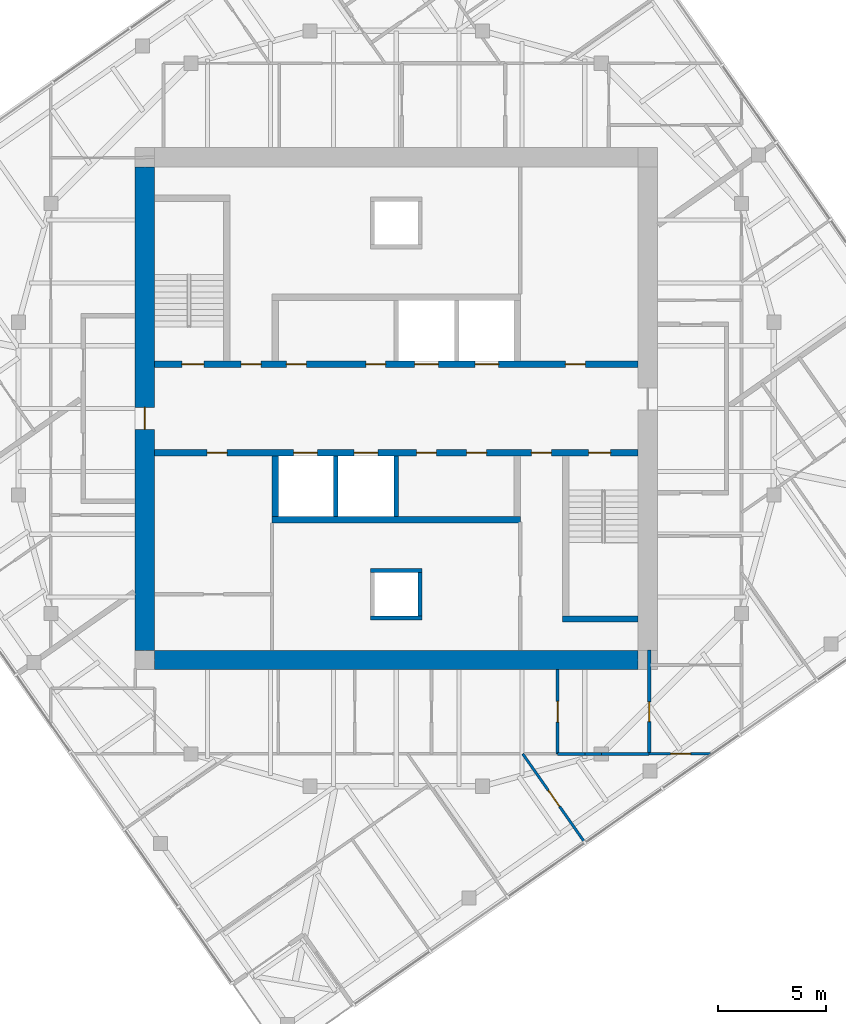
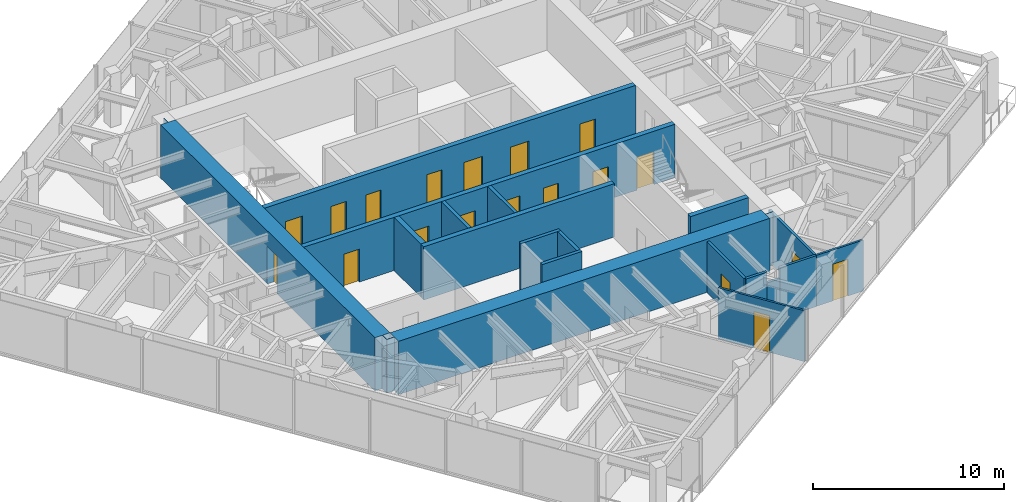
# One storey, part 8 of 12: 19 doors, 19 walls, 19 openings.
"""IFC4 building model written with IfcOpenShell, lengths in metres."""

from ifc_helpers import new_model, si_unit, direction, frame, frame_2d, origin, place, context, subcontext, project, spatial, polyline, rectangle, outline, extrude, material, layer, layer_set, type_object, element, fill, save


model = new_model("IFC4")

# Units and contexts
model_context = context("Model", 3, precision=1e-05, world=origin(), true_north=direction((0.0, 1.0)))
body_context = subcontext(model_context, "Body", "Model", "MODEL_VIEW")
ifc_project = project(units=[si_unit("LENGTHUNIT", "METRE"), si_unit("AREAUNIT", "SQUARE_METRE"), si_unit("VOLUMEUNIT", "CUBIC_METRE"), si_unit("PLANEANGLEUNIT", "RADIAN"), si_unit("MASSUNIT", "GRAM", prefix="KILO")], contexts=[model_context])

# Site, building, storey
site_placement = place(None, origin())
site = spatial("IfcSite", under=ifc_project, at=site_placement, CompositionType="ELEMENT")
building_placement = place(site_placement, origin())
building = spatial("IfcBuilding", under=site, at=building_placement, Name="Torsade Residences", CompositionType="ELEMENT")
storey_placement = place(building_placement, frame((0.0, 0.0, 254.0)))
storey = spatial("IfcBuildingStorey", under=building, at=storey_placement, Name="L70", CompositionType="ELEMENT", Elevation=254.0)

# Wall, openings, doors
ifc_material_1 = material(Name="Concrete 80 MPa", Category="concrete")
ifc_layer_1 = layer(ifc_material_1, 0.300048828125)
ifc_layer_set_1 = layer_set([ifc_layer_1], Name="Concrete 80 MPa")
wall_type_1 = type_object("IfcWallType", Name="CORE INTERNAL WALL 300", PredefinedType="SHEAR", material=ifc_layer_set_1)
wall_1_placement = place(storey_placement, frame((28.800048828125, 32.050048828125, 0.0), z_axis=(0.0, 0.0, 1.0), x_axis=(1.0, 0.0, 0.0)))
wall_1 = element("IfcWall", 1, at=wall_1_placement, inside=storey, type_object=wall_type_1, Name="Core wall LN L70", PredefinedType="SHEAR", context=body_context, shape_type="SweptSolid", body=[
    extrude(rectangle(XDim=22.39990234375, YDim=0.300048828125, at=frame_2d((11.199951171875, 0.0))), origin(), (0.0, 0.0, 1.0), 3.39990234375),
])
opening_1_placement = place(wall_1_placement, frame((19.0400390625, 0.0, 0.0)))
opening_1 = element("IfcOpeningElement", 2, at=opening_1_placement, cuts=wall_1, Name="Opening D06", PredefinedType="OPENING", context=body_context, shape_type="SweptSolid", body=[
    extrude(rectangle(XDim=0.919921875, YDim=2.10009765625, at=frame_2d((0.4599609375, 1.050048828125))), frame((0.0, 0.159912109375, 0.0), z_axis=(0.0, -1.0, 0.0), x_axis=(1.0, 0.0, 0.0)), (0.0, 0.0, 1.0), 0.320068359375),
])
opening_2_placement = place(wall_1_placement, frame((1.264892578125, 0.0, 0.0)))
opening_2 = element("IfcOpeningElement", 3, at=opening_2_placement, cuts=wall_1, Name="Opening D03", PredefinedType="OPENING", context=body_context, shape_type="SweptSolid", body=[
    extrude(rectangle(XDim=1.02001953125, YDim=2.10009765625, at=frame_2d((0.510009765625, 1.050048828125))), frame((0.0, 0.159912109375, 0.0), z_axis=(0.0, -1.0, 0.0), x_axis=(1.0, 0.0, 0.0)), (0.0, 0.0, 1.0), 0.320068359375),
])
opening_3_placement = place(wall_1_placement, frame((4.014892578125, 0.0, 0.0)))
opening_3 = element("IfcOpeningElement", 4, at=opening_3_placement, cuts=wall_1, Name="Opening D06", PredefinedType="OPENING", context=body_context, shape_type="SweptSolid", body=[
    extrude(rectangle(XDim=0.919921875, YDim=2.10009765625, at=frame_2d((0.4599609375, 1.050048828125))), frame((0.0, 0.159912109375, 0.0), z_axis=(0.0, -1.0, 0.0), x_axis=(1.0, 0.0, 0.0)), (0.0, 0.0, 1.0), 0.320068359375),
])
opening_4_placement = place(wall_1_placement, frame((6.114990234375, 0.0, 0.0)))
opening_4 = element("IfcOpeningElement", 5, at=opening_4_placement, cuts=wall_1, Name="Opening D06", PredefinedType="OPENING", context=body_context, shape_type="SweptSolid", body=[
    extrude(rectangle(XDim=0.919921875, YDim=2.10009765625, at=frame_2d((0.4599609375, 1.050048828125))), frame((0.0, 0.159912109375, 0.0), z_axis=(0.0, -1.0, 0.0), x_axis=(1.0, 0.0, 0.0)), (0.0, 0.0, 1.0), 0.320068359375),
])
opening_5_placement = place(wall_1_placement, frame((9.7900390625, 0.0, 0.0)))
opening_5 = element("IfcOpeningElement", 6, at=opening_5_placement, cuts=wall_1, Name="Opening D06", PredefinedType="OPENING", context=body_context, shape_type="SweptSolid", body=[
    extrude(rectangle(XDim=0.919921875, YDim=2.10009765625, at=frame_2d((0.4599609375, 1.050048828125))), frame((0.0, 0.159912109375, 0.0), z_axis=(0.0, -1.0, 0.0), x_axis=(1.0, 0.0, 0.0)), (0.0, 0.0, 1.0), 0.320068359375),
])
opening_6_placement = place(wall_1_placement, frame((12.050048828125, 0.0, 0.0)))
opening_6 = element("IfcOpeningElement", 7, at=opening_6_placement, cuts=wall_1, Name="Opening LD", PredefinedType="OPENING", context=body_context, shape_type="SweptSolid", body=[
    extrude(rectangle(XDim=1.10009765625, YDim=2.10009765625, at=frame_2d((0.550048828125, 1.050048828125))), frame((0.0, 0.159912109375, 0.0), z_axis=(0.0, -1.0, 0.0), x_axis=(1.0, 0.0, 0.0)), (0.0, 0.0, 1.0), 0.320068359375),
])
opening_7_placement = place(wall_1_placement, frame((14.85009765625, 0.0, 0.0)))
opening_7 = element("IfcOpeningElement", 8, at=opening_7_placement, cuts=wall_1, Name="Opening LD", PredefinedType="OPENING", context=body_context, shape_type="SweptSolid", body=[
    extrude(rectangle(XDim=1.10009765625, YDim=2.10009765625, at=frame_2d((0.550048828125, 1.050048828125))), frame((0.0, 0.159912109375, 0.0), z_axis=(0.0, -1.0, 0.0), x_axis=(1.0, 0.0, 0.0)), (0.0, 0.0, 1.0), 0.320068359375),
])
ifc_material_2 = material(Name="Steel-framed fire door", Category="steel")
door_type_1 = type_object("IfcDoorType", Name="FIRE DOOR 1020", OperationType="NOTDEFINED", PredefinedType="DOOR", material=ifc_material_2)
door_1_placement = place(opening_2_placement, origin())
door_1 = element("IfcDoor", 9, at=door_1_placement, inside=storey, type_object=door_type_1, Name="Exit door to fire-isolated stair ST1 L70", OperationType="SINGLE_SWING_RIGHT", OverallHeight=2.10009765625, OverallWidth=1.02001953125, PredefinedType="DOOR", context=body_context, shape_type="SweptSolid", body=[
    extrude(rectangle(XDim=1.02001953125, YDim=2.10009765625, at=frame_2d((0.510009765625, 1.050048828125))), frame((0.0, 0.02490234375, 0.0), z_axis=(0.0, -1.0, 0.0), x_axis=(1.0, 0.0, 0.0)), (0.0, 0.0, 1.0), 0.050048828125),
])
fill(opening_2, door_1)
ifc_material_3 = material(Name="Steel-framed fire door", Category="steel")
door_type_2 = type_object("IfcDoorType", Name="FIRE DOOR 920", OperationType="NOTDEFINED", PredefinedType="DOOR", material=ifc_material_3)
door_2_placement = place(opening_1_placement, origin())
door_2 = element("IfcDoor", 10, at=door_2_placement, inside=storey, type_object=door_type_2, Name="Door Lift lobby to Refuse room", OperationType="SINGLE_SWING_LEFT", OverallHeight=2.10009765625, OverallWidth=0.919921875, PredefinedType="DOOR", context=body_context, shape_type="SweptSolid", body=[
    extrude(rectangle(XDim=0.919921875, YDim=2.10009765625, at=frame_2d((0.4599609375, 1.050048828125))), frame((0.0, 0.02490234375, 0.0), z_axis=(0.0, -1.0, 0.0), x_axis=(1.0, 0.0, 0.0)), (0.0, 0.0, 1.0), 0.050048828125),
])
fill(opening_1, door_2)
door_3_placement = place(opening_3_placement, origin())
door_3 = element("IfcDoor", 11, at=door_3_placement, inside=storey, type_object=door_type_2, Name="Door Lift lobby to Electrical riser room", OperationType="SINGLE_SWING_LEFT", OverallHeight=2.10009765625, OverallWidth=0.919921875, PredefinedType="DOOR", context=body_context, shape_type="SweptSolid", body=[
    extrude(rectangle(XDim=0.919921875, YDim=2.10009765625, at=frame_2d((0.4599609375, 1.050048828125))), frame((0.0, 0.02490234375, 0.0), z_axis=(0.0, -1.0, 0.0), x_axis=(1.0, 0.0, 0.0)), (0.0, 0.0, 1.0), 0.050048828125),
])
fill(opening_3, door_3)
door_4_placement = place(opening_4_placement, origin())
door_4 = element("IfcDoor", 12, at=door_4_placement, inside=storey, type_object=door_type_2, Name="Door Lift lobby to Building manager store L70A", OperationType="SINGLE_SWING_LEFT", OverallHeight=2.10009765625, OverallWidth=0.919921875, PredefinedType="DOOR", context=body_context, shape_type="SweptSolid", body=[
    extrude(rectangle(XDim=0.919921875, YDim=2.10009765625, at=frame_2d((0.4599609375, 1.050048828125))), frame((0.0, 0.02490234375, 0.0), z_axis=(0.0, -1.0, 0.0), x_axis=(1.0, 0.0, 0.0)), (0.0, 0.0, 1.0), 0.050048828125),
])
fill(opening_4, door_4)
door_5_placement = place(opening_5_placement, origin())
door_5 = element("IfcDoor", 13, at=door_5_placement, inside=storey, type_object=door_type_2, Name="Door Lift lobby to Building manager store L70A", OperationType="SINGLE_SWING_RIGHT", OverallHeight=2.10009765625, OverallWidth=0.919921875, PredefinedType="DOOR", context=body_context, shape_type="SweptSolid", body=[
    extrude(rectangle(XDim=0.919921875, YDim=2.10009765625, at=frame_2d((0.4599609375, 1.050048828125))), frame((0.0, 0.02490234375, 0.0), z_axis=(0.0, -1.0, 0.0), x_axis=(1.0, 0.0, 0.0)), (0.0, 0.0, 1.0), 0.050048828125),
])
fill(opening_5, door_5)
ifc_material_4 = material(Name="Stainless steel lift landing door", Category="steel")
door_type_3 = type_object("IfcDoorType", Name="LIFT LANDING DOOR 1100", OperationType="SLIDING_TO_LEFT", PredefinedType="DOOR", material=ifc_material_4)
door_6_placement = place(opening_6_placement, origin())
door_6 = element("IfcDoor", 14, at=door_6_placement, inside=storey, type_object=door_type_3, Name="Lift LA3 landing door L70", OperationType="SLIDING_TO_LEFT", OverallHeight=2.10009765625, OverallWidth=1.10009765625, PredefinedType="DOOR", context=body_context, shape_type="SweptSolid", body=[
    extrude(rectangle(XDim=1.10009765625, YDim=2.10009765625, at=frame_2d((0.550048828125, 1.050048828125))), frame((0.0, 0.02490234375, 0.0), z_axis=(0.0, -1.0, 0.0), x_axis=(1.0, 0.0, 0.0)), (0.0, 0.0, 1.0), 0.050048828125),
])
fill(opening_6, door_6)
door_7_placement = place(opening_7_placement, origin())
door_7 = element("IfcDoor", 15, at=door_7_placement, inside=storey, type_object=door_type_3, Name="Lift FL1 landing door L70", OperationType="SLIDING_TO_LEFT", OverallHeight=2.10009765625, OverallWidth=1.10009765625, PredefinedType="DOOR", context=body_context, shape_type="SweptSolid", body=[
    extrude(rectangle(XDim=1.10009765625, YDim=2.10009765625, at=frame_2d((0.550048828125, 1.050048828125))), frame((0.0, 0.02490234375, 0.0), z_axis=(0.0, -1.0, 0.0), x_axis=(1.0, 0.0, 0.0)), (0.0, 0.0, 1.0), 0.050048828125),
])
fill(opening_7, door_7)

wall_2_placement = place(storey_placement, frame((51.199951171875, 27.949951171875, 0.0), z_axis=(0.0, 0.0, 1.0), x_axis=(-1.0, 0.0, 0.0)))
wall_2 = element("IfcWall", 16, at=wall_2_placement, inside=storey, type_object=wall_type_1, Name="Core wall LS L70", PredefinedType="SHEAR", context=body_context, shape_type="SweptSolid", body=[
    extrude(rectangle(XDim=22.39990234375, YDim=0.300048828125, at=frame_2d((11.199951171875, 0.0))), origin(), (0.0, 0.0, 1.0), 3.39990234375),
])
opening_8_placement = place(wall_2_placement, frame((19.0400390625, 0.0, 0.0)))
opening_8 = element("IfcOpeningElement", 17, at=opening_8_placement, cuts=wall_2, Name="Opening D06", PredefinedType="OPENING", context=body_context, shape_type="SweptSolid", body=[
    extrude(rectangle(XDim=0.919921875, YDim=2.10009765625, at=frame_2d((0.4599609375, 1.050048828125))), frame((0.0, 0.159912109375, 0.0), z_axis=(0.0, -1.0, 0.0), x_axis=(1.0, 0.0, 0.0)), (0.0, 0.0, 1.0), 0.320068359375),
])
opening_9_placement = place(wall_2_placement, frame((1.264892578125, 0.0, 0.0)))
opening_9 = element("IfcOpeningElement", 18, at=opening_9_placement, cuts=wall_2, Name="Opening D03", PredefinedType="OPENING", context=body_context, shape_type="SweptSolid", body=[
    extrude(rectangle(XDim=1.02001953125, YDim=2.10009765625, at=frame_2d((0.510009765625, 1.050048828125))), frame((0.0, 0.159912109375, 0.0), z_axis=(0.0, -1.0, 0.0), x_axis=(1.0, 0.0, 0.0)), (0.0, 0.0, 1.0), 0.320068359375),
])
opening_10_placement = place(wall_2_placement, frame((4.014892578125, 0.0, 0.0)))
opening_10 = element("IfcOpeningElement", 19, at=opening_10_placement, cuts=wall_2, Name="Opening D06", PredefinedType="OPENING", context=body_context, shape_type="SweptSolid", body=[
    extrude(rectangle(XDim=0.919921875, YDim=2.10009765625, at=frame_2d((0.4599609375, 1.050048828125))), frame((0.0, 0.159912109375, 0.0), z_axis=(0.0, -1.0, 0.0), x_axis=(1.0, 0.0, 0.0)), (0.0, 0.0, 1.0), 0.320068359375),
])
opening_11_placement = place(wall_2_placement, frame((9.340087890625, 0.0, 0.0)))
opening_11 = element("IfcOpeningElement", 20, at=opening_11_placement, cuts=wall_2, Name="Opening D06", PredefinedType="OPENING", context=body_context, shape_type="SweptSolid", body=[
    extrude(rectangle(XDim=0.919921875, YDim=2.10009765625, at=frame_2d((0.4599609375, 1.050048828125))), frame((0.0, 0.159912109375, 0.0), z_axis=(0.0, -1.0, 0.0), x_axis=(1.0, 0.0, 0.0)), (0.0, 0.0, 1.0), 0.320068359375),
])
opening_12_placement = place(wall_2_placement, frame((7.014892578125, 0.0, 0.0)))
opening_12 = element("IfcOpeningElement", 21, at=opening_12_placement, cuts=wall_2, Name="Opening D06", PredefinedType="OPENING", context=body_context, shape_type="SweptSolid", body=[
    extrude(rectangle(XDim=0.919921875, YDim=2.10009765625, at=frame_2d((0.4599609375, 1.050048828125))), frame((0.0, 0.159912109375, 0.0), z_axis=(0.0, -1.0, 0.0), x_axis=(1.0, 0.0, 0.0)), (0.0, 0.0, 1.0), 0.320068359375),
])
opening_13_placement = place(wall_2_placement, frame((12.050048828125, 0.0, 0.0)))
opening_13 = element("IfcOpeningElement", 22, at=opening_13_placement, cuts=wall_2, Name="Opening LD", PredefinedType="OPENING", context=body_context, shape_type="SweptSolid", body=[
    extrude(rectangle(XDim=1.10009765625, YDim=2.10009765625, at=frame_2d((0.550048828125, 1.050048828125))), frame((0.0, 0.159912109375, 0.0), z_axis=(0.0, -1.0, 0.0), x_axis=(1.0, 0.0, 0.0)), (0.0, 0.0, 1.0), 0.320068359375),
])
opening_14_placement = place(wall_2_placement, frame((14.85009765625, 0.0, 0.0)))
opening_14 = element("IfcOpeningElement", 23, at=opening_14_placement, cuts=wall_2, Name="Opening LD", PredefinedType="OPENING", context=body_context, shape_type="SweptSolid", body=[
    extrude(rectangle(XDim=1.10009765625, YDim=2.10009765625, at=frame_2d((0.550048828125, 1.050048828125))), frame((0.0, 0.159912109375, 0.0), z_axis=(0.0, -1.0, 0.0), x_axis=(1.0, 0.0, 0.0)), (0.0, 0.0, 1.0), 0.320068359375),
])
door_8_placement = place(opening_9_placement, origin())
door_8 = element("IfcDoor", 24, at=door_8_placement, inside=storey, type_object=door_type_1, Name="Exit door to fire-isolated stair ST2 L70", OperationType="SINGLE_SWING_RIGHT", OverallHeight=2.10009765625, OverallWidth=1.02001953125, PredefinedType="DOOR", context=body_context, shape_type="SweptSolid", body=[
    extrude(rectangle(XDim=1.02001953125, YDim=2.10009765625, at=frame_2d((0.510009765625, 1.050048828125))), frame((0.0, 0.02490234375, 0.0), z_axis=(0.0, -1.0, 0.0), x_axis=(1.0, 0.0, 0.0)), (0.0, 0.0, 1.0), 0.050048828125),
])
fill(opening_9, door_8)
door_9_placement = place(opening_8_placement, origin())
door_9 = element("IfcDoor", 25, at=door_9_placement, inside=storey, type_object=door_type_2, Name="Door Lift lobby to Cleaner store", OperationType="SINGLE_SWING_LEFT", OverallHeight=2.10009765625, OverallWidth=0.919921875, PredefinedType="DOOR", context=body_context, shape_type="SweptSolid", body=[
    extrude(rectangle(XDim=0.919921875, YDim=2.10009765625, at=frame_2d((0.4599609375, 1.050048828125))), frame((0.0, 0.02490234375, 0.0), z_axis=(0.0, -1.0, 0.0), x_axis=(1.0, 0.0, 0.0)), (0.0, 0.0, 1.0), 0.050048828125),
])
fill(opening_8, door_9)
door_10_placement = place(opening_10_placement, origin())
door_10 = element("IfcDoor", 26, at=door_10_placement, inside=storey, type_object=door_type_2, Name="Door Lift lobby to Security and data store", OperationType="SINGLE_SWING_RIGHT", OverallHeight=2.10009765625, OverallWidth=0.919921875, PredefinedType="DOOR", context=body_context, shape_type="SweptSolid", body=[
    extrude(rectangle(XDim=0.919921875, YDim=2.10009765625, at=frame_2d((0.4599609375, 1.050048828125))), frame((0.0, 0.02490234375, 0.0), z_axis=(0.0, -1.0, 0.0), x_axis=(1.0, 0.0, 0.0)), (0.0, 0.0, 1.0), 0.050048828125),
])
fill(opening_10, door_10)
door_11_placement = place(opening_11_placement, origin())
door_11 = element("IfcDoor", 27, at=door_11_placement, inside=storey, type_object=door_type_2, Name="Door Lift lobby to Parcel room L70B", OperationType="SINGLE_SWING_LEFT", OverallHeight=2.10009765625, OverallWidth=0.919921875, PredefinedType="DOOR", context=body_context, shape_type="SweptSolid", body=[
    extrude(rectangle(XDim=0.919921875, YDim=2.10009765625, at=frame_2d((0.4599609375, 1.050048828125))), frame((0.0, 0.02490234375, 0.0), z_axis=(0.0, -1.0, 0.0), x_axis=(1.0, 0.0, 0.0)), (0.0, 0.0, 1.0), 0.050048828125),
])
fill(opening_11, door_11)
door_12_placement = place(opening_12_placement, origin())
door_12 = element("IfcDoor", 28, at=door_12_placement, inside=storey, type_object=door_type_2, Name="Door Lift lobby to Parcel room L70B", OperationType="SINGLE_SWING_RIGHT", OverallHeight=2.10009765625, OverallWidth=0.919921875, PredefinedType="DOOR", context=body_context, shape_type="SweptSolid", body=[
    extrude(rectangle(XDim=0.919921875, YDim=2.10009765625, at=frame_2d((0.4599609375, 1.050048828125))), frame((0.0, 0.02490234375, 0.0), z_axis=(0.0, -1.0, 0.0), x_axis=(1.0, 0.0, 0.0)), (0.0, 0.0, 1.0), 0.050048828125),
])
fill(opening_12, door_12)
door_13_placement = place(opening_13_placement, origin())
door_13 = element("IfcDoor", 29, at=door_13_placement, inside=storey, type_object=door_type_3, Name="Lift LB3 landing door L70", OperationType="SLIDING_TO_LEFT", OverallHeight=2.10009765625, OverallWidth=1.10009765625, PredefinedType="DOOR", context=body_context, shape_type="SweptSolid", body=[
    extrude(rectangle(XDim=1.10009765625, YDim=2.10009765625, at=frame_2d((0.550048828125, 1.050048828125))), frame((0.0, 0.02490234375, 0.0), z_axis=(0.0, -1.0, 0.0), x_axis=(1.0, 0.0, 0.0)), (0.0, 0.0, 1.0), 0.050048828125),
])
fill(opening_13, door_13)
door_14_placement = place(opening_14_placement, origin())
door_14 = element("IfcDoor", 30, at=door_14_placement, inside=storey, type_object=door_type_3, Name="Lift FL2 landing door L70", OperationType="SLIDING_TO_LEFT", OverallHeight=2.10009765625, OverallWidth=1.10009765625, PredefinedType="DOOR", context=body_context, shape_type="SweptSolid", body=[
    extrude(rectangle(XDim=1.10009765625, YDim=2.10009765625, at=frame_2d((0.550048828125, 1.050048828125))), frame((0.0, 0.02490234375, 0.0), z_axis=(0.0, -1.0, 0.0), x_axis=(1.0, 0.0, 0.0)), (0.0, 0.0, 1.0), 0.050048828125),
])
fill(opening_14, door_14)

# Walls
wall_3_placement = place(storey_placement, frame((45.75, 24.85009765625, 0.0), z_axis=(0.0, 0.0, 1.0), x_axis=(-1.0, 0.0, 0.0)))
element("IfcWall", 31, at=wall_3_placement, inside=storey, type_object=wall_type_1, Name="Core wall BS L70", PredefinedType="SHEAR", context=body_context, shape_type="SweptSolid", body=[
    extrude(rectangle(XDim=11.5, YDim=0.300048828125, at=frame_2d((5.75, 0.0))), origin(), (0.0, 0.0, 1.0), 3.39990234375),
])
wall_4_placement = place(storey_placement, frame((34.39990234375, 27.800048828125, 0.0), z_axis=(0.0, 0.0, 1.0), x_axis=(0.0, -1.0, 0.0)))
element("IfcWall", 32, at=wall_4_placement, inside=storey, type_object=wall_type_1, Name="Core wall DS4 L70", PredefinedType="SHEAR", context=body_context, shape_type="SweptSolid", body=[
    extrude(rectangle(XDim=2.800048828125, YDim=0.300048828125, at=frame_2d((1.39990234375, 0.0))), origin(), (0.0, 0.0, 1.0), 3.39990234375),
])
wall_5_placement = place(storey_placement, frame((51.199951171875, 20.25, 0.0), z_axis=(0.0, 0.0, 1.0), x_axis=(-1.0, 0.0, 0.0)))
element("IfcWall", 33, at=wall_5_placement, inside=storey, type_object=wall_type_1, Name="Core wall ST2S L70", PredefinedType="SHEAR", context=body_context, shape_type="SweptSolid", body=[
    extrude(rectangle(XDim=3.5, YDim=0.300048828125, at=frame_2d((1.75, 0.0))), origin(), (0.0, 0.0, 1.0), 3.39990234375),
])
ifc_material_5 = material(Name="Concrete 80 MPa", Category="concrete")
ifc_layer_2 = layer(ifc_material_5, 0.89990234375)
ifc_layer_set_2 = layer_set([ifc_layer_2], Name="Concrete 80 MPa")
wall_type_2 = type_object("IfcWallType", Name="CORE WALL 900", PredefinedType="SHEAR", material=ifc_layer_set_2)
wall_6_placement = place(storey_placement, frame((51.199951171875, 18.35009765625, 0.0), z_axis=(0.0, 0.0, 1.0), x_axis=(-1.0, 0.0, 0.0)))
element("IfcWall", 34, at=wall_6_placement, inside=storey, type_object=wall_type_2, Name="Core wall S L70", PredefinedType="SHEAR", context=body_context, shape_type="SweptSolid", body=[
    extrude(outline(polyline([(0.0, -0.449951171875), (22.39990234375, -0.449951171875), (22.39990234375, -0.02490234375), (22.849853515625, -0.02490234375), (22.849853515625, 0.02490234375), (22.39990234375, 0.02490234375), (22.39990234375, 0.449951171875), (0.0, 0.449951171875), (0.0, 0.02490234375), (-0.449951171875, 0.02490234375), (-0.449951171875, -0.02490234375), (0.0, -0.02490234375), (0.0, -0.449951171875)])), origin(), (0.0, 0.0, 1.0), 3.39990234375),
])

# Wall, opening, door
wall_7_placement = place(storey_placement, frame((28.35009765625, 41.199951171875, 0.0), z_axis=(0.0, 0.0, 1.0), x_axis=(0.0, -1.0, 0.0)))
wall_7 = element("IfcWall", 35, at=wall_7_placement, inside=storey, type_object=wall_type_2, Name="Core wall W L70", PredefinedType="SHEAR", context=body_context, shape_type="SweptSolid", body=[
    extrude(outline(polyline([(0.0, -0.449951171875), (22.39990234375, -0.449951171875), (22.39990234375, -0.02490234375), (22.849853515625, -0.02490234375), (22.849853515625, 0.02490234375), (22.39990234375, 0.02490234375), (22.39990234375, 0.449951171875), (0.0, 0.449951171875), (0.0, 0.02490234375), (-0.449951171875, 0.02490234375), (-0.449951171875, -0.02490234375), (0.0, -0.02490234375), (0.0, -0.449951171875)])), origin(), (0.0, 0.0, 1.0), 3.39990234375),
])
opening_15_placement = place(wall_7_placement, frame((11.139892578125, 0.0, 0.0)))
opening_15 = element("IfcOpeningElement", 36, at=opening_15_placement, cuts=wall_7, Name="Opening D04", PredefinedType="OPENING", context=body_context, shape_type="SweptSolid", body=[
    extrude(rectangle(XDim=1.02001953125, YDim=2.39990234375, at=frame_2d((0.510009765625, 1.199951171875))), frame((0.0, 0.4599609375, 0.0), z_axis=(0.0, -1.0, 0.0), x_axis=(1.0, 0.0, 0.0)), (0.0, 0.0, 1.0), 0.919921875),
])
ifc_material_6 = material(Name="Steel-framed fire door", Category="steel")
door_type_4 = type_object("IfcDoorType", Name="LOBBY SMOKE DOOR 1020x2400", OperationType="NOTDEFINED", PredefinedType="DOOR", material=ifc_material_6)
door_15_placement = place(opening_15_placement, origin())
door_15 = element("IfcDoor", 37, at=door_15_placement, inside=storey, type_object=door_type_4, Name="Lift lobby door W L70", OperationType="SINGLE_SWING_RIGHT", OverallHeight=2.39990234375, OverallWidth=1.02001953125, PredefinedType="DOOR", context=body_context, shape_type="SweptSolid", body=[
    extrude(rectangle(XDim=1.02001953125, YDim=2.39990234375, at=frame_2d((0.510009765625, 1.199951171875))), frame((0.0, 0.02490234375, 0.0), z_axis=(0.0, -1.0, 0.0), x_axis=(1.0, 0.0, 0.0)), (0.0, 0.0, 1.0), 0.050048828125),
])
fill(opening_15, door_15)

# Walls
ifc_material_7 = material(Name="Reinforced blockwork", Category="masonry")
ifc_layer_3 = layer(ifc_material_7, 0.199951171875)
ifc_layer_set_3 = layer_set([ifc_layer_3], Name="Reinforced blockwork")
wall_type_3 = type_object("IfcWallType", Name="LIFT SHAFT DIVIDING WALL 200", PredefinedType="SOLIDWALL", material=ifc_layer_set_3)
for number, where, z_axis, x_axis, name in (
    (38, (40.0, 27.800048828125, 0.0), (0.0, 0.0, 1.0), (0.0, -1.0, 0.0), "Core wall DS2 L70"),
    (39, (37.199951171875, 27.800048828125, 0.0), (0.0, 0.0, 1.0), (0.0, -1.0, 0.0), "Core wall DS3 L70"),
):
    element("IfcWall", number, at=place(storey_placement, frame(where, z_axis=z_axis, x_axis=x_axis)), inside=storey, type_object=wall_type_3, Name=name, PredefinedType="SOLIDWALL", context=body_context, shape_type="SweptSolid", body=[
        extrude(rectangle(XDim=2.800048828125, YDim=0.199951171875, at=frame_2d((1.39990234375, 0.0))), origin(), (0.0, 0.0, 1.0), 3.39990234375),
    ])

# Wall, opening, door
ifc_material_8 = material(Name="Plasterboard on steel stud", Category="steel")
ifc_layer_4 = layer(ifc_material_8, 0.1201171875)
ifc_layer_set_4 = layer_set([ifc_layer_4], Name="Plasterboard on steel stud")
wall_type_4 = type_object("IfcWallType", Name="PARTITION 120", PredefinedType="PARTITIONING", material=ifc_layer_set_4)
wall_8_placement = place(storey_placement, frame((54.56396484375, 14.0, 0.0), z_axis=(0.0, 0.0, 1.0), x_axis=(-1.0, 0.0, 0.0)))
wall_8 = element("IfcWall", 40, at=wall_8_placement, inside=storey, type_object=wall_type_4, Name="Partition L70", PredefinedType="PARTITIONING", context=body_context, shape_type="SweptSolid", body=[
    extrude(rectangle(XDim=2.841552734375, YDim=0.1201171875, at=frame_2d((1.4208984375, 0.0))), origin(), (0.0, 0.0, 1.0), 3.25),
])
opening_16_placement = place(wall_8_placement, frame((0.926025390625, 0.0, 0.0)))
opening_16 = element("IfcOpeningElement", 41, at=opening_16_placement, cuts=wall_8, Name="Opening D02", PredefinedType="OPENING", context=body_context, shape_type="SweptSolid", body=[
    extrude(rectangle(XDim=0.919921875, YDim=2.340087890625, at=frame_2d((0.4599609375, 1.169921875))), frame((0.0, 0.070068359375, 0.0), z_axis=(0.0, -1.0, 0.0), x_axis=(1.0, 0.0, 0.0)), (0.0, 0.0, 1.0), 0.14013671875),
])
ifc_material_9 = material(Name="Hollow-core timber door", Category="wood")
door_type_5 = type_object("IfcDoorType", Name="INTERNAL DOOR 920x2340", OperationType="NOTDEFINED", PredefinedType="DOOR", material=ifc_material_9)
door_16_placement = place(opening_16_placement, origin())
door_16 = element("IfcDoor", 42, at=door_16_placement, inside=storey, type_object=door_type_5, Name="Door Study to Dining room", OperationType="SINGLE_SWING_RIGHT", OverallHeight=2.340087890625, OverallWidth=0.919921875, PredefinedType="DOOR", context=body_context, shape_type="SweptSolid", body=[
    extrude(rectangle(XDim=0.919921875, YDim=2.340087890625, at=frame_2d((0.4599609375, 1.169921875))), frame((0.0, 0.02490234375, 0.0), z_axis=(0.0, -1.0, 0.0), x_axis=(1.0, 0.0, 0.0)), (0.0, 0.0, 1.0), 0.050048828125),
])
fill(opening_16, door_16)

wall_9_placement = place(storey_placement, frame((45.8623046875, 14.0, 0.0), z_axis=(0.0, 0.0, 1.0), x_axis=(0.57358708951, -0.819144584763, 0.0)))
wall_9 = element("IfcWall", 43, at=wall_9_placement, inside=storey, type_object=wall_type_4, Name="Partition L70", PredefinedType="PARTITIONING", context=body_context, shape_type="SweptSolid", body=[
    extrude(rectangle(XDim=4.990966796875, YDim=0.1201171875, at=frame_2d((2.49560546875, 0.0))), origin(), (0.0, 0.0, 1.0), 3.25),
])
opening_17_placement = place(wall_9_placement, frame((2.055419921875, 0.0, 0.0)))
opening_17 = element("IfcOpeningElement", 44, at=opening_17_placement, cuts=wall_9, Name="Opening D02", PredefinedType="OPENING", context=body_context, shape_type="SweptSolid", body=[
    extrude(rectangle(XDim=0.919921875, YDim=2.340087890625, at=frame_2d((0.4599609375, 1.169921875))), frame((0.0, 0.070068359375, 0.0), z_axis=(0.0, -1.0, 0.0), x_axis=(1.0, 0.0, 0.0)), (0.0, 0.0, 1.0), 0.14013671875),
])
door_17_placement = place(opening_17_placement, origin())
door_17 = element("IfcDoor", 45, at=door_17_placement, inside=storey, type_object=door_type_5, Name="Door Dining room to Bedroom 4", OperationType="SINGLE_SWING_LEFT", OverallHeight=2.340087890625, OverallWidth=0.919921875, PredefinedType="DOOR", context=body_context, shape_type="SweptSolid", body=[
    extrude(rectangle(XDim=0.919921875, YDim=2.340087890625, at=frame_2d((0.4599609375, 1.169921875))), frame((0.0, 0.02490234375, 0.0), z_axis=(0.0, -1.0, 0.0), x_axis=(1.0, 0.0, 0.0)), (0.0, 0.0, 1.0), 0.050048828125),
])
fill(opening_17, door_17)

# Walls
ifc_material_10 = material(Name="Reinforced blockwork", Category="masonry")
ifc_layer_5 = layer(ifc_material_10, 0.199951171875)
ifc_layer_set_5 = layer_set([ifc_layer_5], Name="Reinforced blockwork")
wall_type_5 = type_object("IfcWallType", Name="RISER SHAFT WALL 200", PredefinedType="SOLIDWALL", material=ifc_layer_set_5)
wall_10_placement = place(storey_placement, frame((41.10009765625, 22.39990234375, 0.0), z_axis=(0.0, 0.0, 1.0), x_axis=(0.0, -1.0, 0.0)))
element("IfcWall", 46, at=wall_10_placement, inside=storey, type_object=wall_type_5, Name="Core wall RS2b L70", PredefinedType="SOLIDWALL", context=body_context, shape_type="SweptSolid", body=[
    extrude(rectangle(XDim=2.0, YDim=0.199951171875, at=frame_2d((1.0, 0.0))), origin(), (0.0, 0.0, 1.0), 3.39990234375),
])
for number, where, z_axis, x_axis, name in (
    (47, (38.800048828125, 22.5, 0.0), (0.0, 0.0, 1.0), (1.0, 0.0, 0.0), "Core wall RS2c L70"),
    (48, (38.800048828125, 20.300048828125, 0.0), (0.0, 0.0, 1.0), (1.0, 0.0, 0.0), "Core wall RS2d L70"),
):
    element("IfcWall", number, at=place(storey_placement, frame(where, z_axis=z_axis, x_axis=x_axis)), inside=storey, type_object=wall_type_5, Name=name, PredefinedType="SOLIDWALL", context=body_context, shape_type="SweptSolid", body=[
        extrude(rectangle(XDim=2.39990234375, YDim=0.199951171875, at=frame_2d((1.199951171875, 0.0))), origin(), (0.0, 0.0, 1.0), 3.39990234375),
    ])

# Wall, opening, door
ifc_material_11 = material(Name="Reinforced blockwork", Category="masonry")
ifc_layer_6 = layer(ifc_material_11, 0.14990234375)
ifc_layer_set_6 = layer_set([ifc_layer_6], Name="Reinforced blockwork")
wall_type_6 = type_object("IfcWallType", Name="SERVICE ROOM WALL 150", PredefinedType="SOLIDWALL", material=ifc_layer_set_6)
wall_11_placement = place(storey_placement, frame((47.476318359375, 17.89990234375, 0.0), z_axis=(0.0, 0.0, 1.0), x_axis=(0.0, -1.0, 0.0)))
wall_11 = element("IfcWall", 49, at=wall_11_placement, inside=storey, type_object=wall_type_6, Name="Service room wall L70", PredefinedType="SOLIDWALL", context=body_context, shape_type="SweptSolid", body=[
    extrude(rectangle(XDim=3.89990234375, YDim=0.14990234375, at=frame_2d((1.949951171875, 0.0))), origin(), (0.0, 0.0, 1.0), 3.25),
])
opening_18_placement = place(wall_11_placement, frame((1.469970703125, 0.0, 0.0)))
opening_18 = element("IfcOpeningElement", 50, at=opening_18_placement, cuts=wall_11, Name="Opening D05", PredefinedType="OPENING", context=body_context, shape_type="SweptSolid", body=[
    extrude(rectangle(XDim=0.9599609375, YDim=2.10009765625, at=frame_2d((0.47998046875, 1.050048828125))), frame((0.0, 0.0849609375, 0.0), z_axis=(0.0, -1.0, 0.0), x_axis=(1.0, 0.0, 0.0)), (0.0, 0.0, 1.0), 0.169921875),
])
ifc_material_12 = material(Name="Hollow-core timber door in a steel cavity frame", Category="steel")
door_type_6 = type_object("IfcDoorType", Name="BATHROOM CAVITY SLIDING DOOR 960", OperationType="SLIDING_TO_LEFT", PredefinedType="DOOR", material=ifc_material_12)
door_18_placement = place(opening_18_placement, origin())
door_18 = element("IfcDoor", 51, at=door_18_placement, inside=storey, type_object=door_type_6, Name="Door Linen store to Laundry", OperationType="SLIDING_TO_LEFT", OverallHeight=2.10009765625, OverallWidth=0.9599609375, PredefinedType="DOOR", context=body_context, shape_type="SweptSolid", body=[
    extrude(rectangle(XDim=0.9599609375, YDim=2.10009765625, at=frame_2d((0.47998046875, 1.050048828125))), frame((0.0, 0.02490234375, 0.0), z_axis=(0.0, -1.0, 0.0), x_axis=(1.0, 0.0, 0.0)), (0.0, 0.0, 1.0), 0.050048828125),
])
fill(opening_18, door_18)

wall_12_placement = place(storey_placement, frame((51.722412109375, 14.0, 0.0), z_axis=(0.0, 0.0, 1.0), x_axis=(0.0, 1.0, 0.0)))
wall_12 = element("IfcWall", 52, at=wall_12_placement, inside=storey, type_object=wall_type_6, Name="Service room wall L70", PredefinedType="SOLIDWALL", context=body_context, shape_type="SweptSolid", body=[
    extrude(rectangle(XDim=4.820068359375, YDim=0.14990234375, at=frame_2d((2.41015625, 0.0))), origin(), (0.0, 0.0, 1.0), 3.25),
])
opening_19_placement = place(wall_12_placement, frame((1.489990234375, 0.0, 0.0)))
opening_19 = element("IfcOpeningElement", 53, at=opening_19_placement, cuts=wall_12, Name="Opening D02L", PredefinedType="OPENING", context=body_context, shape_type="SweptSolid", body=[
    extrude(rectangle(XDim=0.919921875, YDim=2.10009765625, at=frame_2d((0.4599609375, 1.050048828125))), frame((0.0, 0.0849609375, 0.0), z_axis=(0.0, -1.0, 0.0), x_axis=(1.0, 0.0, 0.0)), (0.0, 0.0, 1.0), 0.169921875),
])
ifc_material_13 = material(Name="Hollow-core timber door", Category="wood")
door_type_7 = type_object("IfcDoorType", Name="INTERNAL DOOR 920x2100", OperationType="NOTDEFINED", PredefinedType="DOOR", material=ifc_material_13)
door_19_placement = place(opening_19_placement, origin())
door_19 = element("IfcDoor", 54, at=door_19_placement, inside=storey, type_object=door_type_7, Name="Door Study to Linen store", OperationType="SINGLE_SWING_LEFT", OverallHeight=2.10009765625, OverallWidth=0.919921875, PredefinedType="DOOR", context=body_context, shape_type="SweptSolid", body=[
    extrude(rectangle(XDim=0.919921875, YDim=2.10009765625, at=frame_2d((0.4599609375, 1.050048828125))), frame((0.0, 0.02490234375, 0.0), z_axis=(0.0, -1.0, 0.0), x_axis=(1.0, 0.0, 0.0)), (0.0, 0.0, 1.0), 0.050048828125),
])
fill(opening_19, door_19)

# Walls
wall_13_placement = place(storey_placement, frame((51.722412109375, 14.0, 0.0), z_axis=(0.0, 0.0, 1.0), x_axis=(-1.0, 0.0, 0.0)))
element("IfcWall", 55, at=wall_13_placement, inside=storey, type_object=wall_type_6, Name="Service room wall L70", PredefinedType="SOLIDWALL", context=body_context, shape_type="SweptSolid", body=[
    extrude(rectangle(XDim=2.201904296875, YDim=0.14990234375, at=frame_2d((1.10107421875, 0.0))), origin(), (0.0, 0.0, 1.0), 3.25),
])
wall_14_placement = place(storey_placement, frame((49.5205078125, 14.0, 0.0), z_axis=(0.0, 0.0, 1.0), x_axis=(-1.0, 0.0, 0.0)))
element("IfcWall", 56, at=wall_14_placement, inside=storey, type_object=wall_type_6, Name="Service room wall L70", PredefinedType="SOLIDWALL", context=body_context, shape_type="SweptSolid", body=[
    extrude(rectangle(XDim=0.7705078125, YDim=0.14990234375, at=frame_2d((0.38525390625, 0.0))), origin(), (0.0, 0.0, 1.0), 2.549072265625),
])
wall_15_placement = place(storey_placement, frame((48.75, 14.0, 0.0), z_axis=(0.0, 0.0, 1.0), x_axis=(-1.0, 0.0, 0.0)))
element("IfcWall", 57, at=wall_15_placement, inside=storey, type_object=wall_type_6, Name="Service room wall L70", PredefinedType="SOLIDWALL", context=body_context, shape_type="SweptSolid", body=[
    extrude(rectangle(XDim=1.273681640625, YDim=0.14990234375, at=frame_2d((0.63671875, 0.0))), origin(), (0.0, 0.0, 1.0), 3.25),
])

save(model, "model.ifc")
